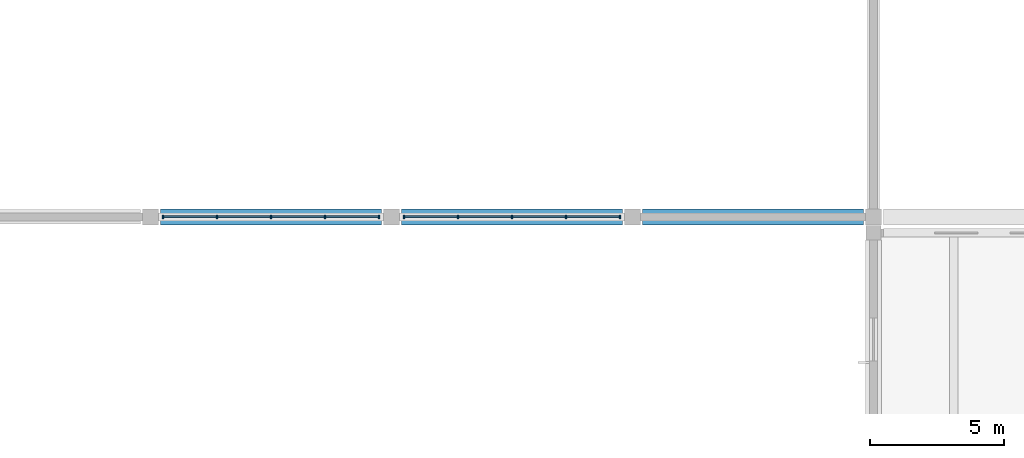
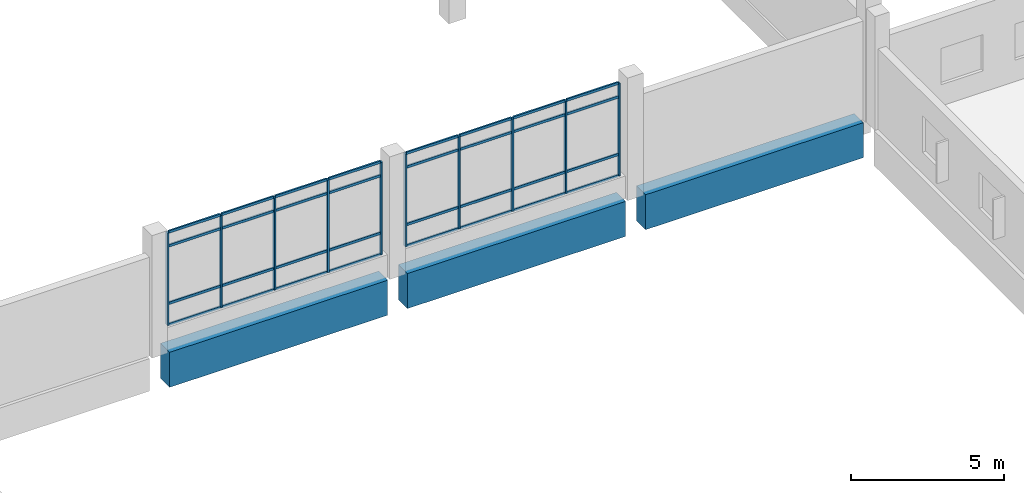
# One storey, part 18 of 63: 42 members, 3 beams, 2 elements without a shape of their own.
"""IFC4 building model written with IfcOpenShell, lengths in metres."""

from ifc_helpers import new_model, si_unit, direction, frame, origin, origin_2d, place, context, subcontext, project, spatial, rectangle, extrude, material, layer, layer_set, material_profile, profile_set, type_object, element, aggregate, save


model = new_model("IFC4")

# Units and contexts
model_context = context("Model", 3, precision=1e-05, world=origin(), true_north=direction((0.0, 1.0)))
body_context = subcontext(model_context, "Body", "Model", "MODEL_VIEW")
ifc_project = project(units=[si_unit("LENGTHUNIT", "METRE"), si_unit("AREAUNIT", "SQUARE_METRE"), si_unit("VOLUMEUNIT", "CUBIC_METRE"), si_unit("PLANEANGLEUNIT", "RADIAN"), si_unit("MASSUNIT", "GRAM", prefix="KILO")], contexts=[model_context])

# Site, building, storey
site_placement = place(None, origin())
site = spatial("IfcSite", under=ifc_project, at=site_placement, CompositionType="ELEMENT")
building_placement = place(site_placement, origin())
building = spatial("IfcBuilding", under=site, at=building_placement, Name="Zacnel Wholesale Market", CompositionType="ELEMENT")
storey_placement = place(building_placement, frame((0.0, 0.0, 11.199951171875)))
storey = spatial("IfcBuildingStorey", under=building, at=storey_placement, Name="L03", CompositionType="ELEMENT", Elevation=11.199951171875)

# Beams
ifc_material_1 = material(Name="Concrete C40/50", Category="concrete")
ifc_material_profile_1 = material_profile(ifc_material_1, rectangle(XDim=0.60009765625, YDim=1.39990234375, at=origin_2d()), Name="PTB 600x1400")
ifc_profile_set_1 = profile_set([ifc_material_profile_1], Name="Concrete C40/50")
beam_type = type_object("IfcBeamType", Name="BM-PTB1400", PredefinedType="BEAM", material=ifc_profile_set_1)
for number, where, z_axis, x_axis, name in (
    (1, (153.375, 96.300048828125, -0.699951171875), (1.0, 0.0, 0.0), (0.0, 1.0, 0.0), "Precast girder X-0745"),
    (2, (162.375, 96.300048828125, -0.699951171875), (1.0, 0.0, 0.0), (0.0, 1.0, 0.0), "Precast girder X-0746"),
    (3, (171.375, 96.300048828125, -0.699951171875), (1.0, 0.0, 0.0), (0.0, 1.0, 0.0), "Precast girder X-0747"),
):
    element("IfcBeam", number, at=place(storey_placement, frame(where, z_axis=z_axis, x_axis=x_axis)), inside=storey, type_object=beam_type, Name=name, PredefinedType="BEAM", context=body_context, shape_type="SweptSolid", body=[
        extrude(rectangle(XDim=0.60009765625, YDim=1.39990234375, at=origin_2d()), origin(), (0.0, 0.0, 1.0), 8.25),
    ])

# Curtain wall, members
ifc_material_2 = material(Name="Anodised aluminium", Category="aluminium")
ifc_layer = layer(ifc_material_2, 0.14990234375)
ifc_layer_set = layer_set([ifc_layer], Name="Anodised aluminium")
curtain_wall_type = type_object("IfcCurtainWallType", Name="CW-CLER-3600", PredefinedType="NOTDEFINED", material=ifc_layer_set)
curtain_wall_1_placement = place(storey_placement, origin())
curtain_wall_1 = element("IfcCurtainWall", 4, at=curtain_wall_1_placement, inside=storey, type_object=curtain_wall_type, Name="Curtain wall ENV-CW-XDRUM-S-2", PredefinedType="NOTDEFINED")
ifc_material_3 = material(Name="Anodised aluminium", Category="aluminium")
ifc_material_profile_2 = material_profile(ifc_material_3, rectangle(XDim=0.06005859375, YDim=0.1298828125, at=origin_2d()), Name="AW-MULLION 60x130")
ifc_profile_set_2 = profile_set([ifc_material_profile_2], Name="Anodised aluminium")
member_type_1 = type_object("IfcMemberType", Name="CWM-MUL-06", PredefinedType="MULLION", material=ifc_profile_set_2)
member_1_placement = place(storey_placement, frame((153.4599609375, 96.300048828125, 0.900146484375), z_axis=(0.0, 0.0, 1.0), x_axis=(1.0, 0.0, 0.0)))
member_1 = element("IfcMember", 5, at=member_1_placement, type_object=member_type_1, Name="ENV-CW-XDRUM-S-2 mullion 01", PredefinedType="MULLION", context=body_context, shape_type="SweptSolid", body=[
    extrude(rectangle(XDim=0.06005859375, YDim=0.1298828125, at=origin_2d()), origin(), (0.0, 0.0, 1.0), 3.699951171875),
])
member_2_placement = place(storey_placement, frame((155.47998046875, 96.300048828125, 0.900146484375), z_axis=(0.0, 0.0, 1.0), x_axis=(1.0, 0.0, 0.0)))
member_2 = element("IfcMember", 6, at=member_2_placement, type_object=member_type_1, Name="ENV-CW-XDRUM-S-2 mullion 02", PredefinedType="MULLION", context=body_context, shape_type="SweptSolid", body=[
    extrude(rectangle(XDim=0.06005859375, YDim=0.1298828125, at=origin_2d()), origin(), (0.0, 0.0, 1.0), 3.699951171875),
])
member_3_placement = place(storey_placement, frame((157.5, 96.300048828125, 0.900146484375), z_axis=(0.0, 0.0, 1.0), x_axis=(1.0, 0.0, 0.0)))
member_3 = element("IfcMember", 7, at=member_3_placement, type_object=member_type_1, Name="ENV-CW-XDRUM-S-2 mullion 03", PredefinedType="MULLION", context=body_context, shape_type="SweptSolid", body=[
    extrude(rectangle(XDim=0.06005859375, YDim=0.1298828125, at=origin_2d()), origin(), (0.0, 0.0, 1.0), 3.699951171875),
])
member_4_placement = place(storey_placement, frame((159.52001953125, 96.300048828125, 0.900146484375), z_axis=(0.0, 0.0, 1.0), x_axis=(1.0, 0.0, 0.0)))
member_4 = element("IfcMember", 8, at=member_4_placement, type_object=member_type_1, Name="ENV-CW-XDRUM-S-2 mullion 04", PredefinedType="MULLION", context=body_context, shape_type="SweptSolid", body=[
    extrude(rectangle(XDim=0.06005859375, YDim=0.1298828125, at=origin_2d()), origin(), (0.0, 0.0, 1.0), 3.699951171875),
])
member_5_placement = place(storey_placement, frame((161.5400390625, 96.300048828125, 0.900146484375), z_axis=(0.0, 0.0, 1.0), x_axis=(1.0, 0.0, 0.0)))
member_5 = element("IfcMember", 9, at=member_5_placement, type_object=member_type_1, Name="ENV-CW-XDRUM-S-2 mullion 05", PredefinedType="MULLION", context=body_context, shape_type="SweptSolid", body=[
    extrude(rectangle(XDim=0.06005859375, YDim=0.1298828125, at=origin_2d()), origin(), (0.0, 0.0, 1.0), 3.699951171875),
])

curtain_wall_2_placement = place(storey_placement, origin())
curtain_wall_2 = element("IfcCurtainWall", 10, at=curtain_wall_2_placement, inside=storey, type_object=curtain_wall_type, Name="Curtain wall ENV-CW-XDRUM-S-3", PredefinedType="NOTDEFINED")
member_6_placement = place(storey_placement, frame((162.4599609375, 96.300048828125, 0.900146484375), z_axis=(0.0, 0.0, 1.0), x_axis=(1.0, 0.0, 0.0)))
member_6 = element("IfcMember", 11, at=member_6_placement, type_object=member_type_1, Name="ENV-CW-XDRUM-S-3 mullion 01", PredefinedType="MULLION", context=body_context, shape_type="SweptSolid", body=[
    extrude(rectangle(XDim=0.06005859375, YDim=0.1298828125, at=origin_2d()), origin(), (0.0, 0.0, 1.0), 3.699951171875),
])
member_7_placement = place(storey_placement, frame((164.47998046875, 96.300048828125, 0.900146484375), z_axis=(0.0, 0.0, 1.0), x_axis=(1.0, 0.0, 0.0)))
member_7 = element("IfcMember", 12, at=member_7_placement, type_object=member_type_1, Name="ENV-CW-XDRUM-S-3 mullion 02", PredefinedType="MULLION", context=body_context, shape_type="SweptSolid", body=[
    extrude(rectangle(XDim=0.06005859375, YDim=0.1298828125, at=origin_2d()), origin(), (0.0, 0.0, 1.0), 3.699951171875),
])
member_8_placement = place(storey_placement, frame((166.5, 96.300048828125, 0.900146484375), z_axis=(0.0, 0.0, 1.0), x_axis=(1.0, 0.0, 0.0)))
member_8 = element("IfcMember", 13, at=member_8_placement, type_object=member_type_1, Name="ENV-CW-XDRUM-S-3 mullion 03", PredefinedType="MULLION", context=body_context, shape_type="SweptSolid", body=[
    extrude(rectangle(XDim=0.06005859375, YDim=0.1298828125, at=origin_2d()), origin(), (0.0, 0.0, 1.0), 3.699951171875),
])
member_9_placement = place(storey_placement, frame((168.52001953125, 96.300048828125, 0.900146484375), z_axis=(0.0, 0.0, 1.0), x_axis=(1.0, 0.0, 0.0)))
member_9 = element("IfcMember", 14, at=member_9_placement, type_object=member_type_1, Name="ENV-CW-XDRUM-S-3 mullion 04", PredefinedType="MULLION", context=body_context, shape_type="SweptSolid", body=[
    extrude(rectangle(XDim=0.06005859375, YDim=0.1298828125, at=origin_2d()), origin(), (0.0, 0.0, 1.0), 3.699951171875),
])
member_10_placement = place(storey_placement, frame((170.5400390625, 96.300048828125, 0.900146484375), z_axis=(0.0, 0.0, 1.0), x_axis=(1.0, 0.0, 0.0)))
member_10 = element("IfcMember", 15, at=member_10_placement, type_object=member_type_1, Name="ENV-CW-XDRUM-S-3 mullion 05", PredefinedType="MULLION", context=body_context, shape_type="SweptSolid", body=[
    extrude(rectangle(XDim=0.06005859375, YDim=0.1298828125, at=origin_2d()), origin(), (0.0, 0.0, 1.0), 3.699951171875),
])

# Member
ifc_material_4 = material(Name="Anodised aluminium", Category="aluminium")
ifc_material_profile_3 = material_profile(ifc_material_4, rectangle(XDim=0.06005859375, YDim=0.10009765625, at=origin_2d()), Name="AW-TRANSOM 60x100")
ifc_profile_set_3 = profile_set([ifc_material_profile_3], Name="Anodised aluminium")
member_type_2 = type_object("IfcMemberType", Name="CWM-TRN-06", PredefinedType="USERDEFINED", material=ifc_profile_set_3)
member_11_placement = place(storey_placement, frame((153.4951171875, 96.300048828125, 0.900146484375), z_axis=(1.0, 0.0, 0.0), x_axis=(0.0, 1.0, 0.0)))
member_11 = element("IfcMember", 16, at=member_11_placement, type_object=member_type_2, Name="ENV-CW-XDRUM-S-2 transom 1-1", ObjectType="TRANSOM", PredefinedType="USERDEFINED", context=body_context, shape_type="SweptSolid", body=[
    extrude(rectangle(XDim=0.06005859375, YDim=0.10009765625, at=origin_2d()), origin(), (0.0, 0.0, 1.0), 1.949951171875),
])

member_12_placement = place(storey_placement, frame((153.4951171875, 96.300048828125, 1.75), z_axis=(1.0, 0.0, 0.0), x_axis=(0.0, 1.0, 0.0)))
member_12 = element("IfcMember", 17, at=member_12_placement, type_object=member_type_2, Name="ENV-CW-XDRUM-S-2 transom 1-2", ObjectType="TRANSOM", PredefinedType="USERDEFINED", context=body_context, shape_type="SweptSolid", body=[
    extrude(rectangle(XDim=0.06005859375, YDim=0.10009765625, at=origin_2d()), origin(), (0.0, 0.0, 1.0), 1.949951171875),
])

member_13_placement = place(storey_placement, frame((153.4951171875, 96.300048828125, 4.050048828125), z_axis=(1.0, 0.0, 0.0), x_axis=(0.0, 1.0, 0.0)))
member_13 = element("IfcMember", 18, at=member_13_placement, type_object=member_type_2, Name="ENV-CW-XDRUM-S-2 transom 1-3", ObjectType="TRANSOM", PredefinedType="USERDEFINED", context=body_context, shape_type="SweptSolid", body=[
    extrude(rectangle(XDim=0.06005859375, YDim=0.10009765625, at=origin_2d()), origin(), (0.0, 0.0, 1.0), 1.949951171875),
])

member_14_placement = place(storey_placement, frame((153.4951171875, 96.300048828125, 4.60009765625), z_axis=(1.0, 0.0, 0.0), x_axis=(0.0, 1.0, 0.0)))
member_14 = element("IfcMember", 19, at=member_14_placement, type_object=member_type_2, Name="ENV-CW-XDRUM-S-2 transom 1-4", ObjectType="TRANSOM", PredefinedType="USERDEFINED", context=body_context, shape_type="SweptSolid", body=[
    extrude(rectangle(XDim=0.06005859375, YDim=0.10009765625, at=origin_2d()), origin(), (0.0, 0.0, 1.0), 1.949951171875),
])

member_15_placement = place(storey_placement, frame((155.514892578125, 96.300048828125, 0.900146484375), z_axis=(1.0, 0.0, 0.0), x_axis=(0.0, 1.0, 0.0)))
member_15 = element("IfcMember", 20, at=member_15_placement, type_object=member_type_2, Name="ENV-CW-XDRUM-S-2 transom 2-1", ObjectType="TRANSOM", PredefinedType="USERDEFINED", context=body_context, shape_type="SweptSolid", body=[
    extrude(rectangle(XDim=0.06005859375, YDim=0.10009765625, at=origin_2d()), origin(), (0.0, 0.0, 1.0), 1.9501953125),
])

member_16_placement = place(storey_placement, frame((155.514892578125, 96.300048828125, 1.75), z_axis=(1.0, 0.0, 0.0), x_axis=(0.0, 1.0, 0.0)))
member_16 = element("IfcMember", 21, at=member_16_placement, type_object=member_type_2, Name="ENV-CW-XDRUM-S-2 transom 2-2", ObjectType="TRANSOM", PredefinedType="USERDEFINED", context=body_context, shape_type="SweptSolid", body=[
    extrude(rectangle(XDim=0.06005859375, YDim=0.10009765625, at=origin_2d()), origin(), (0.0, 0.0, 1.0), 1.9501953125),
])

member_17_placement = place(storey_placement, frame((155.514892578125, 96.300048828125, 4.050048828125), z_axis=(1.0, 0.0, 0.0), x_axis=(0.0, 1.0, 0.0)))
member_17 = element("IfcMember", 22, at=member_17_placement, type_object=member_type_2, Name="ENV-CW-XDRUM-S-2 transom 2-3", ObjectType="TRANSOM", PredefinedType="USERDEFINED", context=body_context, shape_type="SweptSolid", body=[
    extrude(rectangle(XDim=0.06005859375, YDim=0.10009765625, at=origin_2d()), origin(), (0.0, 0.0, 1.0), 1.9501953125),
])

member_18_placement = place(storey_placement, frame((155.514892578125, 96.300048828125, 4.60009765625), z_axis=(1.0, 0.0, 0.0), x_axis=(0.0, 1.0, 0.0)))
member_18 = element("IfcMember", 23, at=member_18_placement, type_object=member_type_2, Name="ENV-CW-XDRUM-S-2 transom 2-4", ObjectType="TRANSOM", PredefinedType="USERDEFINED", context=body_context, shape_type="SweptSolid", body=[
    extrude(rectangle(XDim=0.06005859375, YDim=0.10009765625, at=origin_2d()), origin(), (0.0, 0.0, 1.0), 1.9501953125),
])

member_19_placement = place(storey_placement, frame((157.534912109375, 96.300048828125, 0.900146484375), z_axis=(1.0, 0.0, 0.0), x_axis=(0.0, 1.0, 0.0)))
member_19 = element("IfcMember", 24, at=member_19_placement, type_object=member_type_2, Name="ENV-CW-XDRUM-S-2 transom 3-1", ObjectType="TRANSOM", PredefinedType="USERDEFINED", context=body_context, shape_type="SweptSolid", body=[
    extrude(rectangle(XDim=0.06005859375, YDim=0.10009765625, at=origin_2d()), origin(), (0.0, 0.0, 1.0), 1.9501953125),
])

member_20_placement = place(storey_placement, frame((157.534912109375, 96.300048828125, 1.75), z_axis=(1.0, 0.0, 0.0), x_axis=(0.0, 1.0, 0.0)))
member_20 = element("IfcMember", 25, at=member_20_placement, type_object=member_type_2, Name="ENV-CW-XDRUM-S-2 transom 3-2", ObjectType="TRANSOM", PredefinedType="USERDEFINED", context=body_context, shape_type="SweptSolid", body=[
    extrude(rectangle(XDim=0.06005859375, YDim=0.10009765625, at=origin_2d()), origin(), (0.0, 0.0, 1.0), 1.9501953125),
])

member_21_placement = place(storey_placement, frame((157.534912109375, 96.300048828125, 4.050048828125), z_axis=(1.0, 0.0, 0.0), x_axis=(0.0, 1.0, 0.0)))
member_21 = element("IfcMember", 26, at=member_21_placement, type_object=member_type_2, Name="ENV-CW-XDRUM-S-2 transom 3-3", ObjectType="TRANSOM", PredefinedType="USERDEFINED", context=body_context, shape_type="SweptSolid", body=[
    extrude(rectangle(XDim=0.06005859375, YDim=0.10009765625, at=origin_2d()), origin(), (0.0, 0.0, 1.0), 1.9501953125),
])

member_22_placement = place(storey_placement, frame((157.534912109375, 96.300048828125, 4.60009765625), z_axis=(1.0, 0.0, 0.0), x_axis=(0.0, 1.0, 0.0)))
member_22 = element("IfcMember", 27, at=member_22_placement, type_object=member_type_2, Name="ENV-CW-XDRUM-S-2 transom 3-4", ObjectType="TRANSOM", PredefinedType="USERDEFINED", context=body_context, shape_type="SweptSolid", body=[
    extrude(rectangle(XDim=0.06005859375, YDim=0.10009765625, at=origin_2d()), origin(), (0.0, 0.0, 1.0), 1.9501953125),
])

member_23_placement = place(storey_placement, frame((159.554931640625, 96.300048828125, 0.900146484375), z_axis=(1.0, 0.0, 0.0), x_axis=(0.0, 1.0, 0.0)))
member_23 = element("IfcMember", 28, at=member_23_placement, type_object=member_type_2, Name="ENV-CW-XDRUM-S-2 transom 4-1", ObjectType="TRANSOM", PredefinedType="USERDEFINED", context=body_context, shape_type="SweptSolid", body=[
    extrude(rectangle(XDim=0.06005859375, YDim=0.10009765625, at=origin_2d()), origin(), (0.0, 0.0, 1.0), 1.949951171875),
])

member_24_placement = place(storey_placement, frame((159.554931640625, 96.300048828125, 1.75), z_axis=(1.0, 0.0, 0.0), x_axis=(0.0, 1.0, 0.0)))
member_24 = element("IfcMember", 29, at=member_24_placement, type_object=member_type_2, Name="ENV-CW-XDRUM-S-2 transom 4-2", ObjectType="TRANSOM", PredefinedType="USERDEFINED", context=body_context, shape_type="SweptSolid", body=[
    extrude(rectangle(XDim=0.06005859375, YDim=0.10009765625, at=origin_2d()), origin(), (0.0, 0.0, 1.0), 1.949951171875),
])

member_25_placement = place(storey_placement, frame((159.554931640625, 96.300048828125, 4.050048828125), z_axis=(1.0, 0.0, 0.0), x_axis=(0.0, 1.0, 0.0)))
member_25 = element("IfcMember", 30, at=member_25_placement, type_object=member_type_2, Name="ENV-CW-XDRUM-S-2 transom 4-3", ObjectType="TRANSOM", PredefinedType="USERDEFINED", context=body_context, shape_type="SweptSolid", body=[
    extrude(rectangle(XDim=0.06005859375, YDim=0.10009765625, at=origin_2d()), origin(), (0.0, 0.0, 1.0), 1.949951171875),
])

member_26_placement = place(storey_placement, frame((159.554931640625, 96.300048828125, 4.60009765625), z_axis=(1.0, 0.0, 0.0), x_axis=(0.0, 1.0, 0.0)))
member_26 = element("IfcMember", 31, at=member_26_placement, type_object=member_type_2, Name="ENV-CW-XDRUM-S-2 transom 4-4", ObjectType="TRANSOM", PredefinedType="USERDEFINED", context=body_context, shape_type="SweptSolid", body=[
    extrude(rectangle(XDim=0.06005859375, YDim=0.10009765625, at=origin_2d()), origin(), (0.0, 0.0, 1.0), 1.949951171875),
])

aggregate(curtain_wall_1, [member_1, member_2, member_3, member_4, member_5, member_11, member_12, member_13, member_14, member_15, member_16, member_17, member_18, member_19, member_20, member_21, member_22, member_23, member_24, member_25, member_26])

member_27_placement = place(storey_placement, frame((162.4951171875, 96.300048828125, 0.900146484375), z_axis=(1.0, 0.0, 0.0), x_axis=(0.0, 1.0, 0.0)))
member_27 = element("IfcMember", 32, at=member_27_placement, type_object=member_type_2, Name="ENV-CW-XDRUM-S-3 transom 1-1", ObjectType="TRANSOM", PredefinedType="USERDEFINED", context=body_context, shape_type="SweptSolid", body=[
    extrude(rectangle(XDim=0.06005859375, YDim=0.10009765625, at=origin_2d()), origin(), (0.0, 0.0, 1.0), 1.949951171875),
])

member_28_placement = place(storey_placement, frame((162.4951171875, 96.300048828125, 1.75), z_axis=(1.0, 0.0, 0.0), x_axis=(0.0, 1.0, 0.0)))
member_28 = element("IfcMember", 33, at=member_28_placement, type_object=member_type_2, Name="ENV-CW-XDRUM-S-3 transom 1-2", ObjectType="TRANSOM", PredefinedType="USERDEFINED", context=body_context, shape_type="SweptSolid", body=[
    extrude(rectangle(XDim=0.06005859375, YDim=0.10009765625, at=origin_2d()), origin(), (0.0, 0.0, 1.0), 1.949951171875),
])

member_29_placement = place(storey_placement, frame((162.4951171875, 96.300048828125, 4.050048828125), z_axis=(1.0, 0.0, 0.0), x_axis=(0.0, 1.0, 0.0)))
member_29 = element("IfcMember", 34, at=member_29_placement, type_object=member_type_2, Name="ENV-CW-XDRUM-S-3 transom 1-3", ObjectType="TRANSOM", PredefinedType="USERDEFINED", context=body_context, shape_type="SweptSolid", body=[
    extrude(rectangle(XDim=0.06005859375, YDim=0.10009765625, at=origin_2d()), origin(), (0.0, 0.0, 1.0), 1.949951171875),
])

member_30_placement = place(storey_placement, frame((162.4951171875, 96.300048828125, 4.60009765625), z_axis=(1.0, 0.0, 0.0), x_axis=(0.0, 1.0, 0.0)))
member_30 = element("IfcMember", 35, at=member_30_placement, type_object=member_type_2, Name="ENV-CW-XDRUM-S-3 transom 1-4", ObjectType="TRANSOM", PredefinedType="USERDEFINED", context=body_context, shape_type="SweptSolid", body=[
    extrude(rectangle(XDim=0.06005859375, YDim=0.10009765625, at=origin_2d()), origin(), (0.0, 0.0, 1.0), 1.949951171875),
])

member_31_placement = place(storey_placement, frame((164.514892578125, 96.300048828125, 0.900146484375), z_axis=(1.0, 0.0, 0.0), x_axis=(0.0, 1.0, 0.0)))
member_31 = element("IfcMember", 36, at=member_31_placement, type_object=member_type_2, Name="ENV-CW-XDRUM-S-3 transom 2-1", ObjectType="TRANSOM", PredefinedType="USERDEFINED", context=body_context, shape_type="SweptSolid", body=[
    extrude(rectangle(XDim=0.06005859375, YDim=0.10009765625, at=origin_2d()), origin(), (0.0, 0.0, 1.0), 1.9501953125),
])

member_32_placement = place(storey_placement, frame((164.514892578125, 96.300048828125, 1.75), z_axis=(1.0, 0.0, 0.0), x_axis=(0.0, 1.0, 0.0)))
member_32 = element("IfcMember", 37, at=member_32_placement, type_object=member_type_2, Name="ENV-CW-XDRUM-S-3 transom 2-2", ObjectType="TRANSOM", PredefinedType="USERDEFINED", context=body_context, shape_type="SweptSolid", body=[
    extrude(rectangle(XDim=0.06005859375, YDim=0.10009765625, at=origin_2d()), origin(), (0.0, 0.0, 1.0), 1.9501953125),
])

member_33_placement = place(storey_placement, frame((164.514892578125, 96.300048828125, 4.050048828125), z_axis=(1.0, 0.0, 0.0), x_axis=(0.0, 1.0, 0.0)))
member_33 = element("IfcMember", 38, at=member_33_placement, type_object=member_type_2, Name="ENV-CW-XDRUM-S-3 transom 2-3", ObjectType="TRANSOM", PredefinedType="USERDEFINED", context=body_context, shape_type="SweptSolid", body=[
    extrude(rectangle(XDim=0.06005859375, YDim=0.10009765625, at=origin_2d()), origin(), (0.0, 0.0, 1.0), 1.9501953125),
])

member_34_placement = place(storey_placement, frame((164.514892578125, 96.300048828125, 4.60009765625), z_axis=(1.0, 0.0, 0.0), x_axis=(0.0, 1.0, 0.0)))
member_34 = element("IfcMember", 39, at=member_34_placement, type_object=member_type_2, Name="ENV-CW-XDRUM-S-3 transom 2-4", ObjectType="TRANSOM", PredefinedType="USERDEFINED", context=body_context, shape_type="SweptSolid", body=[
    extrude(rectangle(XDim=0.06005859375, YDim=0.10009765625, at=origin_2d()), origin(), (0.0, 0.0, 1.0), 1.9501953125),
])

member_35_placement = place(storey_placement, frame((166.534912109375, 96.300048828125, 0.900146484375), z_axis=(1.0, 0.0, 0.0), x_axis=(0.0, 1.0, 0.0)))
member_35 = element("IfcMember", 40, at=member_35_placement, type_object=member_type_2, Name="ENV-CW-XDRUM-S-3 transom 3-1", ObjectType="TRANSOM", PredefinedType="USERDEFINED", context=body_context, shape_type="SweptSolid", body=[
    extrude(rectangle(XDim=0.06005859375, YDim=0.10009765625, at=origin_2d()), origin(), (0.0, 0.0, 1.0), 1.9501953125),
])

member_36_placement = place(storey_placement, frame((166.534912109375, 96.300048828125, 1.75), z_axis=(1.0, 0.0, 0.0), x_axis=(0.0, 1.0, 0.0)))
member_36 = element("IfcMember", 41, at=member_36_placement, type_object=member_type_2, Name="ENV-CW-XDRUM-S-3 transom 3-2", ObjectType="TRANSOM", PredefinedType="USERDEFINED", context=body_context, shape_type="SweptSolid", body=[
    extrude(rectangle(XDim=0.06005859375, YDim=0.10009765625, at=origin_2d()), origin(), (0.0, 0.0, 1.0), 1.9501953125),
])

member_37_placement = place(storey_placement, frame((166.534912109375, 96.300048828125, 4.050048828125), z_axis=(1.0, 0.0, 0.0), x_axis=(0.0, 1.0, 0.0)))
member_37 = element("IfcMember", 42, at=member_37_placement, type_object=member_type_2, Name="ENV-CW-XDRUM-S-3 transom 3-3", ObjectType="TRANSOM", PredefinedType="USERDEFINED", context=body_context, shape_type="SweptSolid", body=[
    extrude(rectangle(XDim=0.06005859375, YDim=0.10009765625, at=origin_2d()), origin(), (0.0, 0.0, 1.0), 1.9501953125),
])

member_38_placement = place(storey_placement, frame((166.534912109375, 96.300048828125, 4.60009765625), z_axis=(1.0, 0.0, 0.0), x_axis=(0.0, 1.0, 0.0)))
member_38 = element("IfcMember", 43, at=member_38_placement, type_object=member_type_2, Name="ENV-CW-XDRUM-S-3 transom 3-4", ObjectType="TRANSOM", PredefinedType="USERDEFINED", context=body_context, shape_type="SweptSolid", body=[
    extrude(rectangle(XDim=0.06005859375, YDim=0.10009765625, at=origin_2d()), origin(), (0.0, 0.0, 1.0), 1.9501953125),
])

member_39_placement = place(storey_placement, frame((168.554931640625, 96.300048828125, 0.900146484375), z_axis=(1.0, 0.0, 0.0), x_axis=(0.0, 1.0, 0.0)))
member_39 = element("IfcMember", 44, at=member_39_placement, type_object=member_type_2, Name="ENV-CW-XDRUM-S-3 transom 4-1", ObjectType="TRANSOM", PredefinedType="USERDEFINED", context=body_context, shape_type="SweptSolid", body=[
    extrude(rectangle(XDim=0.06005859375, YDim=0.10009765625, at=origin_2d()), origin(), (0.0, 0.0, 1.0), 1.949951171875),
])

member_40_placement = place(storey_placement, frame((168.554931640625, 96.300048828125, 1.75), z_axis=(1.0, 0.0, 0.0), x_axis=(0.0, 1.0, 0.0)))
member_40 = element("IfcMember", 45, at=member_40_placement, type_object=member_type_2, Name="ENV-CW-XDRUM-S-3 transom 4-2", ObjectType="TRANSOM", PredefinedType="USERDEFINED", context=body_context, shape_type="SweptSolid", body=[
    extrude(rectangle(XDim=0.06005859375, YDim=0.10009765625, at=origin_2d()), origin(), (0.0, 0.0, 1.0), 1.949951171875),
])

member_41_placement = place(storey_placement, frame((168.554931640625, 96.300048828125, 4.050048828125), z_axis=(1.0, 0.0, 0.0), x_axis=(0.0, 1.0, 0.0)))
member_41 = element("IfcMember", 46, at=member_41_placement, type_object=member_type_2, Name="ENV-CW-XDRUM-S-3 transom 4-3", ObjectType="TRANSOM", PredefinedType="USERDEFINED", context=body_context, shape_type="SweptSolid", body=[
    extrude(rectangle(XDim=0.06005859375, YDim=0.10009765625, at=origin_2d()), origin(), (0.0, 0.0, 1.0), 1.949951171875),
])

member_42_placement = place(storey_placement, frame((168.554931640625, 96.300048828125, 4.60009765625), z_axis=(1.0, 0.0, 0.0), x_axis=(0.0, 1.0, 0.0)))
member_42 = element("IfcMember", 47, at=member_42_placement, type_object=member_type_2, Name="ENV-CW-XDRUM-S-3 transom 4-4", ObjectType="TRANSOM", PredefinedType="USERDEFINED", context=body_context, shape_type="SweptSolid", body=[
    extrude(rectangle(XDim=0.06005859375, YDim=0.10009765625, at=origin_2d()), origin(), (0.0, 0.0, 1.0), 1.949951171875),
])

aggregate(curtain_wall_2, [member_6, member_7, member_8, member_9, member_10, member_27, member_28, member_29, member_30, member_31, member_32, member_33, member_34, member_35, member_36, member_37, member_38, member_39, member_40, member_41, member_42])

save(model, "model.ifc")
